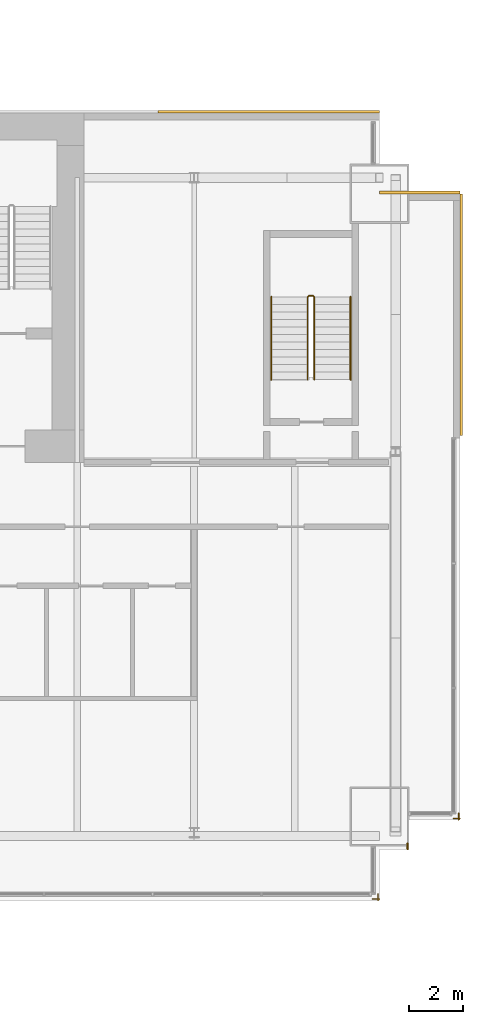
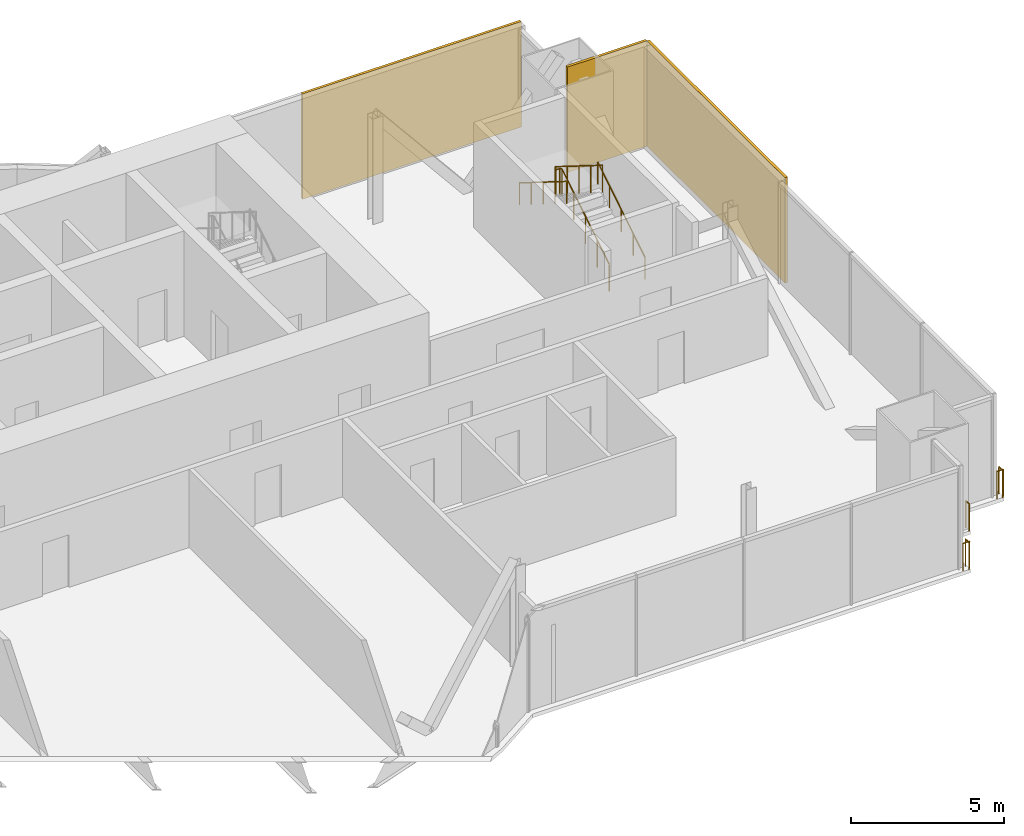
# One storey, part 19 of 19: 6 railings, 3 coverings.
"""IFC4 building model written with IfcOpenShell, lengths in metres."""

from ifc_helpers import new_model, si_unit, direction, frame, origin, origin_2d, place, context, subcontext, project, spatial, rectangle, circle, extrude, material, layer, layer_set, type_object, element, save


model = new_model("IFC4")

# Units and contexts
model_context = context("Model", 3, precision=1e-05, world=origin(), true_north=direction((0.0, 1.0)))
body_context = subcontext(model_context, "Body", "Model", "MODEL_VIEW")
ifc_project = project(units=[si_unit("LENGTHUNIT", "METRE"), si_unit("AREAUNIT", "SQUARE_METRE"), si_unit("VOLUMEUNIT", "CUBIC_METRE"), si_unit("PLANEANGLEUNIT", "RADIAN"), si_unit("MASSUNIT", "GRAM", prefix="KILO")], contexts=[model_context])

# Site, building, storey
site_placement = place(None, origin())
site = spatial("IfcSite", under=ifc_project, at=site_placement, CompositionType="ELEMENT")
building_placement = place(site_placement, origin())
building = spatial("IfcBuilding", under=site, at=building_placement, Name="Bicima Exchange Tower", CompositionType="ELEMENT")
storey_placement = place(building_placement, frame((0.0, 0.0, 258.199951171875)))
storey = spatial("IfcBuildingStorey", under=building, at=storey_placement, Name="L58", CompositionType="ELEMENT", Elevation=258.199951171875)

# Coverings
ifc_material_1 = material(Name="Bronze metal cladding")
ifc_layer_1 = layer(ifc_material_1, 0.004)
ifc_material_2 = material(Name="Ventilated cavity")
ifc_layer_2 = layer(ifc_material_2, 0.06)
ifc_material_3 = material(Name="Galvanised steel rail and mineral wool", Category="steel")
ifc_layer_3 = layer(ifc_material_3, 0.036)
ifc_layer_set = layer_set([ifc_layer_1, ifc_layer_2, ifc_layer_3], Name="Ventilated cavity")
covering_type = type_object("IfcCoveringType", Name="Bronze metal cladding panel 100", PredefinedType="CLADDING", material=ifc_layer_set)
covering_1_placement = place(storey_placement, frame((28.875, 0.050048828125, -0.14990234375), z_axis=(0.0, 0.0, 1.0), x_axis=(-1.0, 0.0, 0.0)))
element("IfcCovering", 1, at=covering_1_placement, inside=storey, type_object=covering_type, Name="Bronze cladding L58 1.1", PredefinedType="CLADDING", context=body_context, shape_type="SweptSolid", body=[
    extrude(rectangle(XDim=8.25, YDim=0.10009765625, at=origin_2d()), origin(), (0.0, 0.0, 1.0), 4.199951171875),
])
covering_2_placement = place(storey_placement, frame((36.050048828125, -7.5, -0.14990234375), z_axis=(0.0, 0.0, 1.0), x_axis=(0.0, 1.0, 0.0)))
element("IfcCovering", 2, at=covering_2_placement, inside=storey, type_object=covering_type, Name="Bronze cladding L58 50.1", PredefinedType="CLADDING", context=body_context, shape_type="SweptSolid", body=[
    extrude(rectangle(XDim=9.0, YDim=0.10009765625, at=origin_2d()), origin(), (0.0, 0.0, 1.0), 4.199951171875),
])
covering_3_placement = place(storey_placement, frame((34.5, -2.949951171875, -0.14990234375), z_axis=(0.0, 0.0, 1.0), x_axis=(-1.0, 0.0, 0.0)))
element("IfcCovering", 3, at=covering_3_placement, inside=storey, type_object=covering_type, Name="Bronze cladding L58 51.1", PredefinedType="CLADDING", context=body_context, shape_type="SweptSolid", body=[
    extrude(rectangle(XDim=3.0, YDim=0.10009765625, at=origin_2d()), origin(), (0.0, 0.0, 1.0), 4.199951171875),
])

# Railings
ifc_material_4 = material(Name="Stainless steel and bonded safety glass", Category="steel")
railing_type_1 = type_object("IfcRailingType", Name="Edge guard 1100", PredefinedType="GUARDRAIL", material=ifc_material_4)
railing_1_placement = place(storey_placement, frame((35.949951171875, -26.06396484375, 0.0)))
element("IfcRailing", 4, at=railing_1_placement, inside=storey, type_object=railing_type_1, Name="Edge guard L58 296", PredefinedType="GUARDRAIL", context=body_context, shape_type="SweptSolid", body=[
    extrude(circle(Radius=0.02392578125, at=origin_2d()), frame((0.0, 0.0, 1.076171875), z_axis=(0.0, -1.0, 0.0), x_axis=(1.0, 0.0, 0.0)), (0.0, 0.0, 1.0), 0.248046875),
    extrude(circle(Radius=0.02392578125, at=origin_2d()), frame((0.0, -0.248046875, 1.076171875), z_axis=(0.707106781187, 0.707106781187, 0.0), x_axis=(-0.707106781187, 0.707106781187, 0.0)), (0.0, 0.0, 1.0), 0.07080078125),
    extrude(circle(Radius=0.02392578125, at=origin_2d()), frame((0.050048828125, -0.197998046875, 1.076171875), z_axis=(-1.0, 0.0, 0.0), x_axis=(0.0, -1.0, 0.0)), (0.0, 0.0, 1.0), 0.237060546875),
    extrude(circle(Radius=0.02099609375, at=origin_2d()), origin(), (0.0, 0.0, 1.0), 1.052001953125),
    extrude(circle(Radius=0.02099609375, at=origin_2d()), frame((0.0, -0.248046875, 0.0)), (0.0, 0.0, 1.0), 1.052001953125),
    extrude(circle(Radius=0.02099609375, at=origin_2d()), frame((0.050048828125, -0.197998046875, 0.0)), (0.0, 0.0, 1.0), 1.052001953125),
    extrude(circle(Radius=0.02099609375, at=origin_2d()), frame((-0.18701171875, -0.197998046875, 0.0)), (0.0, 0.0, 1.0), 1.052001953125),
])
railing_2_placement = place(storey_placement, frame((34.050048828125, -27.19189453125, 0.0)))
element("IfcRailing", 5, at=railing_2_placement, inside=storey, type_object=railing_type_1, Name="Edge guard L58 297", PredefinedType="GUARDRAIL", context=body_context, shape_type="SweptSolid", body=[
    extrude(circle(Radius=0.02392578125, at=origin_2d()), frame((0.0, 0.0, 1.076171875), z_axis=(0.0, -1.0, 0.0), x_axis=(1.0, 0.0, 0.0)), (0.0, 0.0, 1.0), 0.22021484375),
    extrude(circle(Radius=0.02099609375, at=origin_2d()), origin(), (0.0, 0.0, 1.0), 1.052001953125),
    extrude(circle(Radius=0.02099609375, at=origin_2d()), frame((0.0, -0.22021484375, 0.0)), (0.0, 0.0, 1.0), 1.052001953125),
])
railing_3_placement = place(storey_placement, frame((32.949951171875, -29.074951171875, 0.0)))
element("IfcRailing", 6, at=railing_3_placement, inside=storey, type_object=railing_type_1, Name="Edge guard L58 298", PredefinedType="GUARDRAIL", context=body_context, shape_type="SweptSolid", body=[
    extrude(circle(Radius=0.02392578125, at=origin_2d()), frame((0.0, 0.0, 1.076171875), z_axis=(0.0, -1.0, 0.0), x_axis=(1.0, 0.0, 0.0)), (0.0, 0.0, 1.0), 0.237060546875),
    extrude(circle(Radius=0.02392578125, at=origin_2d()), frame((0.0, -0.237060546875, 1.076171875), z_axis=(0.707106781187, 0.707106781187, 0.0), x_axis=(-0.707106781187, 0.707106781187, 0.0)), (0.0, 0.0, 1.0), 0.07080078125),
    extrude(circle(Radius=0.02392578125, at=origin_2d()), frame((0.050048828125, -0.18701171875, 1.076171875), z_axis=(-1.0, 0.0, 0.0), x_axis=(0.0, -1.0, 0.0)), (0.0, 0.0, 1.0), 0.25),
    extrude(circle(Radius=0.02099609375, at=origin_2d()), origin(), (0.0, 0.0, 1.0), 1.052001953125),
    extrude(circle(Radius=0.02099609375, at=origin_2d()), frame((0.0, -0.237060546875, 0.0)), (0.0, 0.0, 1.0), 1.052001953125),
    extrude(circle(Radius=0.02099609375, at=origin_2d()), frame((0.050048828125, -0.18701171875, 0.0)), (0.0, 0.0, 1.0), 1.052001953125),
    extrude(circle(Radius=0.02099609375, at=origin_2d()), frame((-0.199951171875, -0.18701171875, 0.0)), (0.0, 0.0, 1.0), 1.052001953125),
])
ifc_material_5 = material(Name="Stainless steel", Category="steel")
railing_type_2 = type_object("IfcRailingType", Name="Stair guard 1100", PredefinedType="GUARDRAIL", material=ifc_material_5)
railing_4_placement = place(storey_placement, frame((30.574951171875, -9.925048828125, 0.175048828125)))
element("IfcRailing", 7, at=railing_4_placement, inside=storey, type_object=railing_type_2, Name="L58 ST-EE stair guard 1", PredefinedType="GUARDRAIL", context=body_context, shape_type="SweptSolid", body=[
    extrude(circle(Radius=0.02392578125, at=origin_2d()), frame((0.0, 0.0, 1.076171875), z_axis=(0.0, 0.847998304005, 0.529998940003), x_axis=(-1.0, 0.0, 0.0)), (0.0, 0.0, 1.0), 3.632080078125),
    extrude(circle(Radius=0.02392578125, at=origin_2d()), frame((0.0, 3.080078125, 3.0009765625), z_axis=(-0.707106781187, 0.707106781187, 0.0), x_axis=(-0.707106781187, -0.707106781187, 0.0)), (0.0, 0.0, 1.0), 0.07080078125),
    extrude(circle(Radius=0.02392578125, at=origin_2d()), frame((-0.050048828125, 3.130126953125, 3.0009765625), z_axis=(-1.0, 0.0, 0.0), x_axis=(0.0, -1.0, 0.0)), (0.0, 0.0, 1.0), 0.14990234375),
    extrude(circle(Radius=0.02392578125, at=origin_2d()), frame((-0.199951171875, 3.130126953125, 3.0009765625), z_axis=(-0.265065253269, -0.265065253269, 0.927081885822), x_axis=(0.707106781187, -0.707106781187, 0.0)), (0.0, 0.0, 1.0), 0.188720703125),
    extrude(circle(Radius=0.02392578125, at=origin_2d()), frame((-0.25, 3.080078125, 3.17626953125), z_axis=(0.0, -0.848028513186, 0.529950602248), x_axis=(1.0, 0.0, 0.0)), (0.0, 0.0, 1.0), 3.632080078125),
    extrude(circle(Radius=0.02099609375, at=origin_2d()), origin(), (0.0, 0.0, 1.0), 1.052001953125),
    extrude(circle(Radius=0.02099609375, at=origin_2d()), frame((0.0, 0.77001953125, 0.481201171875)), (0.0, 0.0, 1.0), 1.052001953125),
    extrude(circle(Radius=0.02099609375, at=origin_2d()), frame((0.0, 1.5400390625, 0.96240234375)), (0.0, 0.0, 1.0), 1.052001953125),
    extrude(circle(Radius=0.02099609375, at=origin_2d()), frame((0.0, 2.31005859375, 1.44384765625)), (0.0, 0.0, 1.0), 1.052001953125),
    extrude(circle(Radius=0.02099609375, at=origin_2d()), frame((0.0, 3.080078125, 1.925048828125)), (0.0, 0.0, 1.0), 1.052001953125),
    extrude(circle(Radius=0.02099609375, at=origin_2d()), frame((-0.050048828125, 3.130126953125, 1.925048828125)), (0.0, 0.0, 1.0), 1.052001953125),
    extrude(circle(Radius=0.02099609375, at=origin_2d()), frame((-0.199951171875, 3.130126953125, 1.925048828125)), (0.0, 0.0, 1.0), 1.052001953125),
    extrude(circle(Radius=0.02099609375, at=origin_2d()), frame((-0.25, 3.080078125, 2.10009765625)), (0.0, 0.0, 1.0), 1.052001953125),
    extrude(circle(Radius=0.02099609375, at=origin_2d()), frame((-0.25, 2.31005859375, 2.581298828125)), (0.0, 0.0, 1.0), 1.052001953125),
    extrude(circle(Radius=0.02099609375, at=origin_2d()), frame((-0.25, 1.5400390625, 3.0625)), (0.0, 0.0, 1.0), 1.052001953125),
    extrude(circle(Radius=0.02099609375, at=origin_2d()), frame((-0.25, 0.77001953125, 3.543701171875)), (0.0, 0.0, 1.0), 1.052001953125),
    extrude(circle(Radius=0.02099609375, at=origin_2d()), frame((-0.25, 0.0, 4.02490234375)), (0.0, 0.0, 1.0), 1.052001953125),
])
railing_type_3 = type_object("IfcRailingType", Name="Stair handrail 900", PredefinedType="HANDRAIL", material=ifc_material_5)
railing_5_placement = place(storey_placement, frame((31.925048828125, -9.925048828125, 0.175048828125)))
element("IfcRailing", 8, at=railing_5_placement, inside=storey, type_object=railing_type_3, Name="L58 ST-EE stair handrail 1", PredefinedType="HANDRAIL", context=body_context, shape_type="SweptSolid", body=[
    extrude(circle(Radius=0.02392578125, at=origin_2d()), frame((0.0, 0.0, 0.8759765625), z_axis=(0.0, 0.847998304005, 0.529998940003), x_axis=(-1.0, 0.0, 0.0)), (0.0, 0.0, 1.0), 3.632080078125),
    extrude(circle(Radius=0.02099609375, at=origin_2d()), origin(), (0.0, 0.0, 1.0), 0.851806640625),
    extrude(circle(Radius=0.02099609375, at=origin_2d()), frame((0.0, 0.77001953125, 0.481201171875)), (0.0, 0.0, 1.0), 0.851806640625),
    extrude(circle(Radius=0.02099609375, at=origin_2d()), frame((0.0, 1.5400390625, 0.96240234375)), (0.0, 0.0, 1.0), 0.851806640625),
    extrude(circle(Radius=0.02099609375, at=origin_2d()), frame((0.0, 2.31005859375, 1.44384765625)), (0.0, 0.0, 1.0), 0.851806640625),
    extrude(circle(Radius=0.02099609375, at=origin_2d()), frame((0.0, 3.080078125, 1.925048828125)), (0.0, 0.0, 1.0), 0.851806640625),
])
railing_6_placement = place(storey_placement, frame((28.97509765625, -6.844970703125, 2.303955078125)))
element("IfcRailing", 9, at=railing_6_placement, inside=storey, type_object=railing_type_3, Name="L58 ST-EE stair handrail 2", PredefinedType="HANDRAIL", context=body_context, shape_type="SweptSolid", body=[
    extrude(circle(Radius=0.02392578125, at=origin_2d()), frame((0.0, 0.0, 0.8759765625), z_axis=(0.0, -0.847998304005, 0.529998940003), x_axis=(1.0, 0.0, 0.0)), (0.0, 0.0, 1.0), 3.632080078125),
    extrude(circle(Radius=0.02099609375, at=origin_2d()), origin(), (0.0, 0.0, 1.0), 0.851806640625),
    extrude(circle(Radius=0.02099609375, at=origin_2d()), frame((0.0, -0.77001953125, 0.481201171875)), (0.0, 0.0, 1.0), 0.851806640625),
    extrude(circle(Radius=0.02099609375, at=origin_2d()), frame((0.0, -1.5400390625, 0.96240234375)), (0.0, 0.0, 1.0), 0.851806640625),
    extrude(circle(Radius=0.02099609375, at=origin_2d()), frame((0.0, -2.31005859375, 1.44384765625)), (0.0, 0.0, 1.0), 0.851806640625),
    extrude(circle(Radius=0.02099609375, at=origin_2d()), frame((0.0, -3.080078125, 1.925048828125)), (0.0, 0.0, 1.0), 0.851806640625),
])

save(model, "model.ifc")
